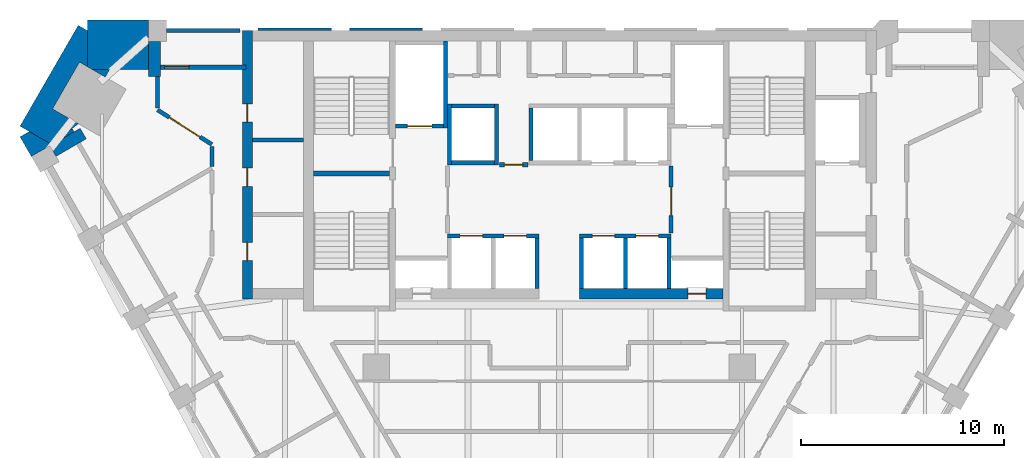
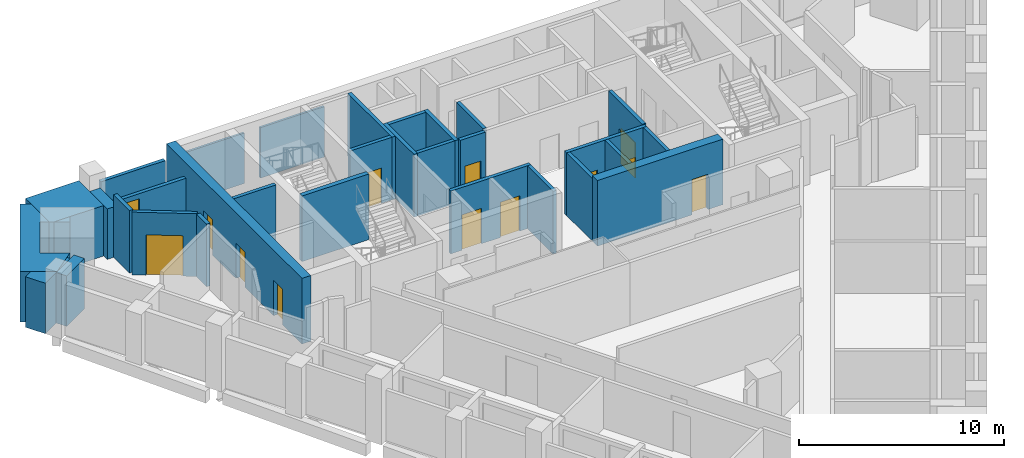
# One storey, part 5 of 9: 32 walls, 13 doors, 13 openings.
"""IFC4 building model written with IfcOpenShell, lengths in metres."""

from ifc_helpers import new_model, si_unit, direction, frame, frame_2d, origin, place, context, subcontext, project, spatial, polyline, rectangle, outline, extrude, material, layer, layer_set, type_object, element, fill, save


model = new_model("IFC4")

# Units and contexts
model_context = context("Model", 3, precision=1e-05, world=origin(), true_north=direction((0.0, 1.0)))
body_context = subcontext(model_context, "Body", "Model", "MODEL_VIEW")
ifc_project = project(units=[si_unit("LENGTHUNIT", "METRE"), si_unit("AREAUNIT", "SQUARE_METRE"), si_unit("VOLUMEUNIT", "CUBIC_METRE"), si_unit("PLANEANGLEUNIT", "RADIAN"), si_unit("MASSUNIT", "GRAM", prefix="KILO")], contexts=[model_context])

# Site, building, storey
site_placement = place(None, origin())
site = spatial("IfcSite", under=ifc_project, at=site_placement, CompositionType="ELEMENT")
building_placement = place(site_placement, origin())
building = spatial("IfcBuilding", under=site, at=building_placement, Name="Calabash Gate Tower", CompositionType="ELEMENT")
storey_placement = place(building_placement, frame((0.0, 0.0, 171.89990234375)))
storey = spatial("IfcBuildingStorey", under=building, at=storey_placement, Name="L40", CompositionType="ELEMENT", Elevation=171.89990234375)

# Walls
ifc_material_1 = material(Name="Terracotta brick masonry, exposed face", Category="masonry")
ifc_layer_1 = layer(ifc_material_1, 2.425048828125)
ifc_layer_set_1 = layer_set([ifc_layer_1], Name="Brick corner mass wall 2425")
wall_type_1 = type_object("IfcWallType", Name="Brick corner mass wall 2425", PredefinedType="SOLIDWALL", material=ifc_layer_set_1)
wall_1_placement = place(storey_placement, origin())
element("IfcWall", 1, at=wall_1_placement, inside=storey, type_object=wall_type_1, Name="Brick corner pier S11 4a", PredefinedType="SOLIDWALL", context=body_context, shape_type="SweptSolid", body=[
    extrude(outline(polyline([(-23.010986328125, 17.152587890625), (-20.220458984375, 17.152587890625), (-20.220458984375, 19.57763671875), (-23.2216796875, 19.57763671875), (-23.2216796875, 17.274169921875), (-23.010986328125, 17.152587890625)])), origin(), (0.0, 0.0, 1.0), 3.0),
])
wall_2_placement = place(storey_placement, origin())
element("IfcWall", 2, at=wall_2_placement, inside=storey, type_object=wall_type_1, Name="Brick corner pier S11 4ba", PredefinedType="SOLIDWALL", context=body_context, shape_type="SweptSolid", body=[
    extrude(outline(polyline([(-23.67138671875, 14.473876953125), (-24.93603515625, 15.2041015625), (-23.611083984375, 17.4990234375), (-23.2216796875, 17.274169921875), (-23.2216796875, 19.052490234375), (-23.676513671875, 19.31494140625), (-26.541748046875, 14.352294921875), (-24.970458984375, 13.4453125), (-23.67138671875, 14.473876953125)])), origin(), (0.0, 0.0, 1.0), 3.0),
])
wall_3_placement = place(storey_placement, origin())
element("IfcWall", 3, at=wall_3_placement, inside=storey, type_object=wall_type_1, Name="Brick corner pier S11 4bb", PredefinedType="SOLIDWALL", context=body_context, shape_type="SweptSolid", body=[
    extrude(outline(polyline([(-22.124755859375, 17.152587890625), (-23.010986328125, 17.152587890625), (-22.346435546875, 16.768798828125), (-22.124755859375, 17.152587890625)])), origin(), (0.0, 0.0, 1.0), 3.0),
])
wall_4_placement = place(storey_placement, origin())
element("IfcWall", 4, at=wall_4_placement, inside=storey, type_object=wall_type_1, Name="Brick corner pier S11 4c", PredefinedType="SOLIDWALL", context=body_context, shape_type="SweptSolid", body=[
    extrude(outline(polyline([(-23.9755859375, 14.23291015625), (-24.970458984375, 13.4453125), (-26.0869140625, 14.08984375), (-26.541748046875, 13.827392578125), (-25.9833984375, 12.8603515625), (-25.07421875, 13.38525390625), (-25.07421875, 13.38525390625), (-23.88330078125, 14.07275390625), (-23.9755859375, 14.23291015625)])), origin(), (0.0, 0.0, 1.0), 3.0),
])
ifc_material_2 = material(Name="Terracotta brick masonry, exposed face", Category="masonry")
ifc_layer_2 = layer(ifc_material_2, 0.300048828125)
ifc_layer_set_2 = layer_set([ifc_layer_2], Name="Brick loggia cheek wall 300")
wall_type_2 = type_object("IfcWallType", Name="Brick loggia cheek wall 300", PredefinedType="SOLIDWALL", material=ifc_layer_set_2)
wall_5_placement = place(storey_placement, frame((-24.924072265625, 13.12548828125, 0.0), z_axis=(0.0, 0.0, 1.0), x_axis=(0.866013532718, 0.500020560727, 0.0)))
element("IfcWall", 5, at=wall_5_placement, inside=storey, type_object=wall_type_2, Name="Loggia cheek S11 SW0.0", PredefinedType="SOLIDWALL", context=body_context, shape_type="SweptSolid", body=[
    extrude(rectangle(XDim=1.72509765625, YDim=0.60009765625, at=frame_2d((0.862548828125, 0.0))), origin(), (0.0, 0.0, 1.0), 3.0),
])
wall_6_placement = place(storey_placement, origin())
element("IfcWall", 6, at=wall_6_placement, inside=storey, type_object=wall_type_2, Name="Loggia cheek S11 N6.9", PredefinedType="SOLIDWALL", context=body_context, shape_type="SweptSolid", body=[
    extrude(outline(polyline([(-20.220458984375, 18.527587890625), (-20.220458984375, 16.802490234375), (-19.620361328125, 16.802490234375), (-19.620361328125, 18.527587890625), (-20.220458984375, 18.527587890625)])), origin(), (0.0, 0.0, 1.0), 3.0),
])
ifc_material_3 = material(Name="Gypsum board on steel studs, mineral wool", Category="steel")
ifc_layer_3 = layer(ifc_material_3, 0.199951171875)
ifc_layer_set_3 = layer_set([ifc_layer_3], Name="Core partition 200 gypsum board")
wall_type_3 = type_object("IfcWallType", Name="Core partition 200 gypsum board", PredefinedType="PARTITIONING", material=ifc_layer_set_3)
wall_7_placement = place(storey_placement, frame((-15.10009765625, 13.672607421875, 0.0), z_axis=(0.0, 0.0, 1.0), x_axis=(1.0, 0.0, 0.0)))
element("IfcWall", 7, at=wall_7_placement, inside=storey, type_object=wall_type_3, Name="Core partition", PredefinedType="PARTITIONING", context=body_context, shape_type="SweptSolid", body=[
    extrude(rectangle(XDim=2.5, YDim=0.199951171875, at=frame_2d((1.25, 0.0))), origin(), (0.0, 0.0, 1.0), 3.72998046875),
])
ifc_material_4 = material(Name="Concrete C70/85", Category="concrete")
ifc_layer_4 = layer(ifc_material_4, 0.25)
ifc_layer_set_4 = layer_set([ifc_layer_4], Name="Core wall 250 Concrete C70/85")
wall_type_4 = type_object("IfcWallType", Name="Core wall 250 Concrete C70/85", PredefinedType="SHEAR", material=ifc_layer_set_4)
wall_8_placement = place(storey_placement, frame((-12.10009765625, 12.027587890625, 0.0), z_axis=(0.0, 0.0, 1.0), x_axis=(1.0, 0.0, 0.0)))
element("IfcWall", 8, at=wall_8_placement, inside=storey, type_object=wall_type_4, Name="Core wall Z3-MIDW L40", PredefinedType="SHEAR", context=body_context, shape_type="SweptSolid", body=[
    extrude(rectangle(XDim=3.75, YDim=0.25, at=frame_2d((1.875, 0.0))), origin(), (0.0, 0.0, 1.0), 3.900146484375),
])

# Wall, opening, door
ifc_material_5 = material(Name="Concrete C70/85", Category="concrete")
ifc_layer_5 = layer(ifc_material_5, 0.5)
ifc_layer_set_5 = layer_set([ifc_layer_5], Name="Core wall 500 Concrete C70/85")
wall_type_5 = type_object("IfcWallType", Name="Core wall 500 Concrete C70/85", PredefinedType="SHEAR", material=ifc_layer_set_5)
wall_9_placement = place(storey_placement, frame((1.0, 6.1025390625, 0.0), z_axis=(0.0, 0.0, 1.0), x_axis=(1.0, 0.0, 0.0)))
wall_9 = element("IfcWall", 9, at=wall_9_placement, inside=storey, type_object=wall_type_5, Name="Core wall Z3-SB L40", PredefinedType="SHEAR", context=body_context, shape_type="SweptSolid", body=[
    extrude(rectangle(XDim=7.050048828125, YDim=0.5, at=frame_2d((3.52490234375, 0.0))), origin(), (0.0, 0.0, 1.0), 3.900146484375),
])
opening_1_placement = place(wall_9_placement, frame((5.324951171875, 0.0, 0.0)))
opening_1 = element("IfcOpeningElement", 10, at=opening_1_placement, cuts=wall_9, Name="Opening O3-015", PredefinedType="OPENING", context=body_context, shape_type="SweptSolid", body=[
    extrude(rectangle(XDim=0.89990234375, YDim=2.10009765625, at=frame_2d((0.449951171875, 1.050048828125))), frame((0.0, 0.260009765625, 0.0), z_axis=(0.0, -1.0, 0.0), x_axis=(1.0, 0.0, 0.0)), (0.0, 0.0, 1.0), 0.52001953125),
])
ifc_material_6 = material(Name="Steel fire door set with fire-resisting glazing", Category="steel")
door_type_1 = type_object("IfcDoorType", Name="Fire door D07 900x2100 FD90", OperationType="NOTDEFINED", PredefinedType="DOOR", material=ifc_material_6)
door_1_placement = place(opening_1_placement, origin())
door_1 = element("IfcDoor", 11, at=door_1_placement, inside=storey, type_object=door_type_1, Name="Mechanical Riser E door", OperationType="SINGLE_SWING_RIGHT", OverallHeight=2.10009765625, OverallWidth=0.89990234375, PredefinedType="DOOR", context=body_context, shape_type="SweptSolid", body=[
    extrude(rectangle(XDim=0.89990234375, YDim=2.10009765625, at=frame_2d((0.449951171875, 1.050048828125))), frame((0.0, 0.02490234375, 0.0), z_axis=(0.0, -1.0, 0.0), x_axis=(1.0, 0.0, 0.0)), (0.0, 0.0, 1.0), 0.050048828125),
])
fill(opening_1, door_1)

# Wall, openings, doors
wall_10_placement = place(storey_placement, frame((-15.35009765625, 5.8525390625, 0.0), z_axis=(0.0, 0.0, 1.0), x_axis=(0.0, 1.0, 0.0)))
wall_10 = element("IfcWall", 12, at=wall_10_placement, inside=storey, type_object=wall_type_5, Name="Core wall Z3-ENDW L40", PredefinedType="SHEAR", context=body_context, shape_type="SweptSolid", body=[
    extrude(rectangle(XDim=13.199951171875, YDim=0.5, at=frame_2d((6.60009765625, 0.0))), origin(), (0.0, 0.0, 1.0), 3.900146484375),
])
opening_2_placement = place(wall_10_placement, frame((1.8798828125, 0.0, 0.0)))
opening_2 = element("IfcOpeningElement", 13, at=opening_2_placement, cuts=wall_10, Name="Opening O3-004", PredefinedType="OPENING", context=body_context, shape_type="SweptSolid", body=[
    extrude(rectangle(XDim=0.89990234375, YDim=2.10009765625, at=frame_2d((0.449951171875, 1.050048828125))), frame((0.0, 0.260009765625, 0.0), z_axis=(0.0, -1.0, 0.0), x_axis=(1.0, 0.0, 0.0)), (0.0, 0.0, 1.0), 0.52001953125),
])
opening_3_placement = place(wall_10_placement, frame((5.5400390625, 0.0, 0.0)))
opening_3 = element("IfcOpeningElement", 14, at=opening_3_placement, cuts=wall_10, Name="Opening O3-005", PredefinedType="OPENING", context=body_context, shape_type="SweptSolid", body=[
    extrude(rectangle(XDim=0.89990234375, YDim=2.10009765625, at=frame_2d((0.449951171875, 1.050048828125))), frame((0.0, 0.260009765625, 0.0), z_axis=(0.0, -1.0, 0.0), x_axis=(1.0, 0.0, 0.0)), (0.0, 0.0, 1.0), 0.52001953125),
])
opening_4_placement = place(wall_10_placement, frame((8.697509765625, 0.0, 0.0)))
opening_4 = element("IfcOpeningElement", 15, at=opening_4_placement, cuts=wall_10, Name="Opening O3-006", PredefinedType="OPENING", context=body_context, shape_type="SweptSolid", body=[
    extrude(rectangle(XDim=0.89990234375, YDim=2.10009765625, at=frame_2d((0.449951171875, 1.050048828125))), frame((0.0, 0.260009765625, 0.0), z_axis=(0.0, -1.0, 0.0), x_axis=(1.0, 0.0, 0.0)), (0.0, 0.0, 1.0), 0.52001953125),
])
ifc_material_7 = material(Name="Steel fire door set with fire-resisting glazing", Category="steel")
door_type_2 = type_object("IfcDoorType", Name="Fire door D06 900x2100 FD60", OperationType="NOTDEFINED", PredefinedType="DOOR", material=ifc_material_7)
door_2_placement = place(opening_2_placement, origin())
door_2 = element("IfcDoor", 16, at=door_2_placement, inside=storey, type_object=door_type_2, Name="Cleaner's Store door", OperationType="SINGLE_SWING_LEFT", OverallHeight=2.10009765625, OverallWidth=0.89990234375, PredefinedType="DOOR", context=body_context, shape_type="SweptSolid", body=[
    extrude(rectangle(XDim=0.89990234375, YDim=2.10009765625, at=frame_2d((0.449951171875, 1.050048828125))), frame((0.0, 0.02490234375, 0.0), z_axis=(0.0, -1.0, 0.0), x_axis=(1.0, 0.0, 0.0)), (0.0, 0.0, 1.0), 0.050048828125),
])
fill(opening_2, door_2)
door_3_placement = place(opening_3_placement, origin())
door_3 = element("IfcDoor", 17, at=door_3_placement, inside=storey, type_object=door_type_2, Name="Print Room door", OperationType="SINGLE_SWING_LEFT", OverallHeight=2.10009765625, OverallWidth=0.89990234375, PredefinedType="DOOR", context=body_context, shape_type="SweptSolid", body=[
    extrude(rectangle(XDim=0.89990234375, YDim=2.10009765625, at=frame_2d((0.449951171875, 1.050048828125))), frame((0.0, 0.02490234375, 0.0), z_axis=(0.0, -1.0, 0.0), x_axis=(1.0, 0.0, 0.0)), (0.0, 0.0, 1.0), 0.050048828125),
])
fill(opening_3, door_3)
door_4_placement = place(opening_4_placement, origin())
door_4 = element("IfcDoor", 18, at=door_4_placement, inside=storey, type_object=door_type_2, Name="Meter Room door", OperationType="SINGLE_SWING_LEFT", OverallHeight=2.10009765625, OverallWidth=0.89990234375, PredefinedType="DOOR", context=body_context, shape_type="SweptSolid", body=[
    extrude(rectangle(XDim=0.89990234375, YDim=2.10009765625, at=frame_2d((0.449951171875, 1.050048828125))), frame((0.0, 0.02490234375, 0.0), z_axis=(0.0, -1.0, 0.0), x_axis=(1.0, 0.0, 0.0)), (0.0, 0.0, 1.0), 0.050048828125),
])
fill(opening_4, door_4)

# Wall
ifc_material_8 = material(Name="Gypsum board on steel studs, mineral wool", Category="steel")
ifc_layer_6 = layer(ifc_material_8, 0.199951171875)
ifc_layer_set_6 = layer_set([ifc_layer_6], Name="Partition 200 gypsum board EI 60")
wall_type_6 = type_object("IfcWallType", Name="Partition 200 gypsum board EI 60", PredefinedType="PARTITIONING", material=ifc_layer_set_6)
wall_11_placement = place(storey_placement, frame((-17.101806640625, 12.372314453125, 0.0), z_axis=(0.0, 0.0, 1.0), x_axis=(0.001245639293, 0.999999224191, 0.0)))
element("IfcWall", 19, at=wall_11_placement, inside=storey, type_object=wall_type_6, Name="Partition", PredefinedType="PARTITIONING", context=body_context, shape_type="SweptSolid", body=[
    extrude(rectangle(XDim=0.97998046875, YDim=0.199951171875, at=frame_2d((0.489990234375, 0.0))), origin(), (0.0, 0.0, 1.0), 3.72998046875),
])

# Wall, opening, door
wall_12_placement = place(storey_placement, frame((-19.770751953125, 15.15234375, 0.0), z_axis=(0.0, 0.0, 1.0), x_axis=(0.843553490885, -0.537045163851, 0.0)))
wall_12 = element("IfcWall", 20, at=wall_12_placement, inside=storey, type_object=wall_type_6, Name="Partition", PredefinedType="PARTITIONING", context=body_context, shape_type="SweptSolid", body=[
    extrude(rectangle(XDim=3.165283203125, YDim=0.199951171875, at=frame_2d((1.58251953125, 0.0))), origin(), (0.0, 0.0, 1.0), 3.72998046875),
])
opening_5_placement = place(wall_12_placement, frame((0.682861328125, 0.0, 0.0)))
opening_5 = element("IfcOpeningElement", 21, at=opening_5_placement, cuts=wall_12, Name="Opening 39-41-010", PredefinedType="OPENING", context=body_context, shape_type="SweptSolid", body=[
    extrude(rectangle(XDim=1.800048828125, YDim=2.39990234375, at=frame_2d((0.89990234375, 1.199951171875))), frame((0.0, 0.10986328125, 0.0), z_axis=(0.0, -1.0, 0.0), x_axis=(1.0, 0.0, 0.0)), (0.0, 0.0, 1.0), 0.219970703125),
])
ifc_material_9 = material(Name="Steel fire door set with fire-resisting glazing", Category="steel")
door_type_3 = type_object("IfcDoorType", Name="OD5 Open office double door 1800x2400", OperationType="NOTDEFINED", PredefinedType="DOOR", material=ifc_material_9)
door_5_placement = place(opening_5_placement, origin())
door_5 = element("IfcDoor", 22, at=door_5_placement, inside=storey, type_object=door_type_3, Name="Open office double door", OperationType="DOUBLE_DOOR_SINGLE_SWING", OverallHeight=2.39990234375, OverallWidth=1.800048828125, PredefinedType="DOOR", context=body_context, shape_type="SweptSolid", body=[
    extrude(rectangle(XDim=1.800048828125, YDim=2.39990234375, at=frame_2d((0.89990234375, 1.199951171875))), frame((0.0, 0.02490234375, 0.0), z_axis=(0.0, -1.0, 0.0), x_axis=(1.0, 0.0, 0.0)), (0.0, 0.0, 1.0), 0.050048828125),
])
fill(opening_5, door_5)

# Walls
wall_13_placement = place(storey_placement, frame((-19.770751953125, 16.802490234375, 0.0), z_axis=(0.0, 0.0, 1.0), x_axis=(0.0, -1.0, 0.0)))
element("IfcWall", 23, at=wall_13_placement, inside=storey, type_object=wall_type_6, Name="Partition", PredefinedType="PARTITIONING", context=body_context, shape_type="SweptSolid", body=[
    extrude(rectangle(XDim=1.55029296875, YDim=0.199951171875, at=frame_2d((0.775146484375, 0.0))), origin(), (0.0, 0.0, 1.0), 3.72998046875),
])
ifc_material_10 = material(Name="Concrete C40/50", Category="concrete")
ifc_layer_7 = layer(ifc_material_10, 0.199951171875)
ifc_layer_set_7 = layer_set([ifc_layer_7], Name="Shaft wall 200 Concrete C40/50")
wall_type_7 = type_object("IfcWallType", Name="Shaft wall 200 Concrete C40/50", PredefinedType="SOLIDWALL", material=ifc_layer_set_7)
for number, where, z_axis, x_axis, name in (
    (24, (-1.10009765625, 6.3525390625, 0.0), (0.0, 0.0, 1.0), (0.0, 1.0, 0.0), "Shaft wall"),
    (25, (1.10009765625, 6.3525390625, 0.0), (0.0, 0.0, 1.0), (0.0, 1.0, 0.0), "Shaft wall"),
    (26, (3.25, 6.3525390625, 0.0), (0.0, 0.0, 1.0), (0.0, 1.0, 0.0), "Shaft wall"),
    (27, (5.39990234375, 6.3525390625, 0.0), (0.0, 0.0, 1.0), (0.0, 1.0, 0.0), "Shaft wall"),
):
    element("IfcWall", number, at=place(storey_placement, frame(where, z_axis=z_axis, x_axis=x_axis)), inside=storey, type_object=wall_type_7, Name=name, PredefinedType="SOLIDWALL", context=body_context, shape_type="SweptSolid", body=[
        extrude(rectangle(XDim=2.5, YDim=0.199951171875, at=frame_2d((1.25, 0.0))), origin(), (0.0, 0.0, 1.0), 3.72998046875),
    ])

# Wall, openings, doors
wall_14_placement = place(storey_placement, frame((-5.5, 8.95263671875, 0.0), z_axis=(0.0, 0.0, 1.0), x_axis=(1.0, 0.0, 0.0)))
wall_14 = element("IfcWall", 28, at=wall_14_placement, inside=storey, type_object=wall_type_7, Name="Shaft wall", PredefinedType="SOLIDWALL", context=body_context, shape_type="SweptSolid", body=[
    extrude(rectangle(XDim=4.5, YDim=0.199951171875, at=frame_2d((2.25, 0.0))), origin(), (0.0, 0.0, 1.0), 3.72998046875),
])
opening_6_placement = place(wall_14_placement, frame((0.625, 0.0, 0.0)))
opening_6 = element("IfcOpeningElement", 29, at=opening_6_placement, cuts=wall_14, Name="Opening LD-HR1", PredefinedType="OPENING", context=body_context, shape_type="SweptSolid", body=[
    extrude(rectangle(XDim=1.10009765625, YDim=2.10009765625, at=frame_2d((0.550048828125, 1.050048828125))), frame((0.0, 0.10986328125, 0.0), z_axis=(0.0, -1.0, 0.0), x_axis=(1.0, 0.0, 0.0)), (0.0, 0.0, 1.0), 0.219970703125),
])
opening_7_placement = place(wall_14_placement, frame((2.77490234375, 0.0, 0.0)))
opening_7 = element("IfcOpeningElement", 30, at=opening_7_placement, cuts=wall_14, Name="Opening LD-HR2", PredefinedType="OPENING", context=body_context, shape_type="SweptSolid", body=[
    extrude(rectangle(XDim=1.10009765625, YDim=2.10009765625, at=frame_2d((0.550048828125, 1.050048828125))), frame((0.0, 0.10986328125, 0.0), z_axis=(0.0, -1.0, 0.0), x_axis=(1.0, 0.0, 0.0)), (0.0, 0.0, 1.0), 0.219970703125),
])
ifc_material_11 = material(Name="Stainless steel sliding door leaves", Category="steel")
door_type_4 = type_object("IfcDoorType", Name="Lift landing door LS1 1100x2100 FD90", OperationType="DOUBLE_DOOR_SLIDING", PredefinedType="DOOR", material=ifc_material_11)
door_6_placement = place(opening_6_placement, origin())
door_6 = element("IfcDoor", 31, at=door_6_placement, inside=storey, type_object=door_type_4, Name="Lift landing door HR1", OperationType="DOUBLE_DOOR_SLIDING", OverallHeight=2.10009765625, OverallWidth=1.10009765625, PredefinedType="DOOR", context=body_context, shape_type="SweptSolid", body=[
    extrude(rectangle(XDim=1.10009765625, YDim=2.10009765625, at=frame_2d((0.550048828125, 1.050048828125))), frame((0.0, 0.02490234375, 0.0), z_axis=(0.0, -1.0, 0.0), x_axis=(1.0, 0.0, 0.0)), (0.0, 0.0, 1.0), 0.050048828125),
])
fill(opening_6, door_6)
door_7_placement = place(opening_7_placement, origin())
door_7 = element("IfcDoor", 32, at=door_7_placement, inside=storey, type_object=door_type_4, Name="Lift landing door HR2", OperationType="DOUBLE_DOOR_SLIDING", OverallHeight=2.10009765625, OverallWidth=1.10009765625, PredefinedType="DOOR", context=body_context, shape_type="SweptSolid", body=[
    extrude(rectangle(XDim=1.10009765625, YDim=2.10009765625, at=frame_2d((0.550048828125, 1.050048828125))), frame((0.0, 0.02490234375, 0.0), z_axis=(0.0, -1.0, 0.0), x_axis=(1.0, 0.0, 0.0)), (0.0, 0.0, 1.0), 0.050048828125),
])
fill(opening_7, door_7)

wall_15_placement = place(storey_placement, frame((1.0, 8.95263671875, 0.0), z_axis=(0.0, 0.0, 1.0), x_axis=(1.0, 0.0, 0.0)))
wall_15 = element("IfcWall", 33, at=wall_15_placement, inside=storey, type_object=wall_type_7, Name="Shaft wall", PredefinedType="SOLIDWALL", context=body_context, shape_type="SweptSolid", body=[
    extrude(rectangle(XDim=4.5, YDim=0.199951171875, at=frame_2d((2.25, 0.0))), origin(), (0.0, 0.0, 1.0), 3.72998046875),
])
opening_8_placement = place(wall_15_placement, frame((0.625, 0.0, 0.0)))
opening_8 = element("IfcOpeningElement", 34, at=opening_8_placement, cuts=wall_15, Name="Opening LD-HR3", PredefinedType="OPENING", context=body_context, shape_type="SweptSolid", body=[
    extrude(rectangle(XDim=1.10009765625, YDim=2.10009765625, at=frame_2d((0.550048828125, 1.050048828125))), frame((0.0, 0.10986328125, 0.0), z_axis=(0.0, -1.0, 0.0), x_axis=(1.0, 0.0, 0.0)), (0.0, 0.0, 1.0), 0.219970703125),
])
opening_9_placement = place(wall_15_placement, frame((2.77490234375, 0.0, 0.0)))
opening_9 = element("IfcOpeningElement", 35, at=opening_9_placement, cuts=wall_15, Name="Opening LD-HR4", PredefinedType="OPENING", context=body_context, shape_type="SweptSolid", body=[
    extrude(rectangle(XDim=1.10009765625, YDim=2.10009765625, at=frame_2d((0.550048828125, 1.050048828125))), frame((0.0, 0.10986328125, 0.0), z_axis=(0.0, -1.0, 0.0), x_axis=(1.0, 0.0, 0.0)), (0.0, 0.0, 1.0), 0.219970703125),
])
door_8_placement = place(opening_8_placement, origin())
door_8 = element("IfcDoor", 36, at=door_8_placement, inside=storey, type_object=door_type_4, Name="Lift landing door HR3", OperationType="DOUBLE_DOOR_SLIDING", OverallHeight=2.10009765625, OverallWidth=1.10009765625, PredefinedType="DOOR", context=body_context, shape_type="SweptSolid", body=[
    extrude(rectangle(XDim=1.10009765625, YDim=2.10009765625, at=frame_2d((0.550048828125, 1.050048828125))), frame((0.0, 0.02490234375, 0.0), z_axis=(0.0, -1.0, 0.0), x_axis=(1.0, 0.0, 0.0)), (0.0, 0.0, 1.0), 0.050048828125),
])
fill(opening_8, door_8)
door_9_placement = place(opening_9_placement, origin())
door_9 = element("IfcDoor", 37, at=door_9_placement, inside=storey, type_object=door_type_4, Name="Lift landing door HR4", OperationType="DOUBLE_DOOR_SLIDING", OverallHeight=2.10009765625, OverallWidth=1.10009765625, PredefinedType="DOOR", context=body_context, shape_type="SweptSolid", body=[
    extrude(rectangle(XDim=1.10009765625, YDim=2.10009765625, at=frame_2d((0.550048828125, 1.050048828125))), frame((0.0, 0.02490234375, 0.0), z_axis=(0.0, -1.0, 0.0), x_axis=(1.0, 0.0, 0.0)), (0.0, 0.0, 1.0), 0.050048828125),
])
fill(opening_9, door_9)

# Wall, opening, door
wall_16_placement = place(storey_placement, frame((5.5, 9.1025390625, 0.0), z_axis=(0.0, 0.0, 1.0), x_axis=(0.0, 1.0, 0.0)))
wall_16 = element("IfcWall", 38, at=wall_16_placement, inside=storey, type_object=wall_type_7, Name="Shaft wall", PredefinedType="SOLIDWALL", context=body_context, shape_type="SweptSolid", body=[
    extrude(rectangle(XDim=3.300048828125, YDim=0.199951171875, at=frame_2d((1.64990234375, 0.0))), origin(), (0.0, 0.0, 1.0), 3.72998046875),
])
opening_10_placement = place(wall_16_placement, frame((0.85009765625, 0.0, 0.0)))
opening_10 = element("IfcOpeningElement", 39, at=opening_10_placement, cuts=wall_16, Name="Opening O3-008", PredefinedType="OPENING", context=body_context, shape_type="SweptSolid", body=[
    extrude(rectangle(XDim=1.39990234375, YDim=2.10009765625, at=frame_2d((0.699951171875, 1.050048828125))), frame((0.0, 0.10986328125, 0.0), z_axis=(0.0, -1.0, 0.0), x_axis=(1.0, 0.0, 0.0)), (0.0, 0.0, 1.0), 0.219970703125),
])
ifc_material_12 = material(Name="Steel fire door set with fire-resisting glazing", Category="steel")
door_type_5 = type_object("IfcDoorType", Name="Fire door D05 1400x2100 FD90", OperationType="NOTDEFINED", PredefinedType="DOOR", material=ifc_material_12)
door_10_placement = place(opening_10_placement, origin())
door_10 = element("IfcDoor", 40, at=door_10_placement, inside=storey, type_object=door_type_5, Name="Firefighting Lobby E door", OperationType="SINGLE_SWING_LEFT", OverallHeight=2.10009765625, OverallWidth=1.39990234375, PredefinedType="DOOR", context=body_context, shape_type="SweptSolid", body=[
    extrude(rectangle(XDim=1.39990234375, YDim=2.10009765625, at=frame_2d((0.699951171875, 1.050048828125))), frame((0.0, 0.02490234375, 0.0), z_axis=(0.0, -1.0, 0.0), x_axis=(1.0, 0.0, 0.0)), (0.0, 0.0, 1.0), 0.050048828125),
])
fill(opening_10, door_10)

wall_17_placement = place(storey_placement, frame((-2.949951171875, 12.45263671875, 0.0), z_axis=(0.0, 0.0, 1.0), x_axis=(1.0, 0.0, 0.0)))
wall_17 = element("IfcWall", 41, at=wall_17_placement, inside=storey, type_object=wall_type_7, Name="Shaft wall", PredefinedType="SOLIDWALL", context=body_context, shape_type="SweptSolid", body=[
    extrude(rectangle(XDim=1.39990234375, YDim=0.199951171875, at=frame_2d((0.699951171875, 0.0))), origin(), (0.0, 0.0, 1.0), 3.72998046875),
])
opening_11_placement = place(wall_17_placement, frame((0.25, 0.0, 0.0)))
opening_11 = element("IfcOpeningElement", 42, at=opening_11_placement, cuts=wall_17, Name="Opening O3-007", PredefinedType="OPENING", context=body_context, shape_type="SweptSolid", body=[
    extrude(rectangle(XDim=0.89990234375, YDim=2.10009765625, at=frame_2d((0.449951171875, 1.050048828125))), frame((0.0, 0.10986328125, 0.0), z_axis=(0.0, -1.0, 0.0), x_axis=(1.0, 0.0, 0.0)), (0.0, 0.0, 1.0), 0.219970703125),
])
door_11_placement = place(opening_11_placement, origin())
door_11 = element("IfcDoor", 43, at=door_11_placement, inside=storey, type_object=door_type_2, Name="Service Corridor door", OperationType="SINGLE_SWING_RIGHT", OverallHeight=2.10009765625, OverallWidth=0.89990234375, PredefinedType="DOOR", context=body_context, shape_type="SweptSolid", body=[
    extrude(rectangle(XDim=0.89990234375, YDim=2.10009765625, at=frame_2d((0.449951171875, 1.050048828125))), frame((0.0, 0.02490234375, 0.0), z_axis=(0.0, -1.0, 0.0), x_axis=(1.0, 0.0, 0.0)), (0.0, 0.0, 1.0), 0.050048828125),
])
fill(opening_11, door_11)

# Walls
wall_18_placement = place(storey_placement, frame((-5.39990234375, 12.45263671875, 0.0), z_axis=(0.0, 0.0, 1.0), x_axis=(0.0, 1.0, 0.0)))
element("IfcWall", 44, at=wall_18_placement, inside=storey, type_object=wall_type_7, Name="Shaft wall", PredefinedType="SOLIDWALL", context=body_context, shape_type="SweptSolid", body=[
    extrude(rectangle(XDim=3.0, YDim=0.199951171875, at=frame_2d((1.5, 0.0))), origin(), (0.0, 0.0, 1.0), 3.72998046875),
])
wall_19_placement = place(storey_placement, frame((-5.300048828125, 12.552490234375, 0.0), z_axis=(0.0, 0.0, 1.0), x_axis=(1.0, 0.0, 0.0)))
element("IfcWall", 45, at=wall_19_placement, inside=storey, type_object=wall_type_7, Name="Shaft wall", PredefinedType="SOLIDWALL", context=body_context, shape_type="SweptSolid", body=[
    extrude(rectangle(XDim=2.10009765625, YDim=0.199951171875, at=frame_2d((1.050048828125, 0.0))), origin(), (0.0, 0.0, 1.0), 3.72998046875),
])
wall_20_placement = place(storey_placement, frame((-3.10009765625, 12.45263671875, 0.0), z_axis=(0.0, 0.0, 1.0), x_axis=(0.0, 1.0, 0.0)))
element("IfcWall", 46, at=wall_20_placement, inside=storey, type_object=wall_type_7, Name="Shaft wall", PredefinedType="SOLIDWALL", context=body_context, shape_type="SweptSolid", body=[
    extrude(rectangle(XDim=3.0, YDim=0.199951171875, at=frame_2d((1.5, 0.0))), origin(), (0.0, 0.0, 1.0), 3.72998046875),
])
wall_21_placement = place(storey_placement, frame((-1.39990234375, 12.652587890625, 0.0), z_axis=(0.0, 0.0, 1.0), x_axis=(0.0, 1.0, 0.0)))
element("IfcWall", 47, at=wall_21_placement, inside=storey, type_object=wall_type_7, Name="Shaft wall", PredefinedType="SOLIDWALL", context=body_context, shape_type="SweptSolid", body=[
    extrude(rectangle(XDim=2.60009765625, YDim=0.199951171875, at=frame_2d((1.300048828125, 0.0))), origin(), (0.0, 0.0, 1.0), 3.72998046875),
])

# Wall, opening, door
wall_22_placement = place(storey_placement, frame((-8.050048828125, 14.3525390625, 0.0), z_axis=(0.0, 0.0, 1.0), x_axis=(1.0, 0.0, 0.0)))
wall_22 = element("IfcWall", 48, at=wall_22_placement, inside=storey, type_object=wall_type_7, Name="Shaft wall", PredefinedType="SOLIDWALL", context=body_context, shape_type="SweptSolid", body=[
    extrude(rectangle(XDim=2.35009765625, YDim=0.199951171875, at=frame_2d((1.175048828125, 0.0))), origin(), (0.0, 0.0, 1.0), 3.72998046875),
])
opening_12_placement = place(wall_22_placement, frame((0.574951171875, 0.0, 0.0)))
opening_12 = element("IfcOpeningElement", 49, at=opening_12_placement, cuts=wall_22, Name="Opening LD-FF1", PredefinedType="OPENING", context=body_context, shape_type="SweptSolid", body=[
    extrude(rectangle(XDim=1.199951171875, YDim=2.10009765625, at=frame_2d((0.60009765625, 1.050048828125))), frame((0.0, 0.10986328125, 0.0), z_axis=(0.0, -1.0, 0.0), x_axis=(1.0, 0.0, 0.0)), (0.0, 0.0, 1.0), 0.219970703125),
])
ifc_material_13 = material(Name="Stainless steel sliding door leaves", Category="steel")
door_type_6 = type_object("IfcDoorType", Name="Lift landing door LS3 1200x2100 FD90", OperationType="DOUBLE_DOOR_SLIDING", PredefinedType="DOOR", material=ifc_material_13)
door_12_placement = place(opening_12_placement, origin())
door_12 = element("IfcDoor", 50, at=door_12_placement, inside=storey, type_object=door_type_6, Name="Lift landing door FF1", OperationType="DOUBLE_DOOR_SLIDING", OverallHeight=2.10009765625, OverallWidth=1.199951171875, PredefinedType="DOOR", context=body_context, shape_type="SweptSolid", body=[
    extrude(rectangle(XDim=1.199951171875, YDim=2.10009765625, at=frame_2d((0.60009765625, 1.050048828125))), frame((0.0, 0.02490234375, 0.0), z_axis=(0.0, -1.0, 0.0), x_axis=(1.0, 0.0, 0.0)), (0.0, 0.0, 1.0), 0.050048828125),
])
fill(opening_12, door_12)

# Walls
wall_23_placement = place(storey_placement, frame((-5.60009765625, 14.252685546875, 0.0), z_axis=(0.0, 0.0, 1.0), x_axis=(0.0, 1.0, 0.0)))
element("IfcWall", 51, at=wall_23_placement, inside=storey, type_object=wall_type_7, Name="Shaft wall", PredefinedType="SOLIDWALL", context=body_context, shape_type="SweptSolid", body=[
    extrude(rectangle(XDim=4.2998046875, YDim=0.199951171875, at=frame_2d((2.14990234375, 0.0))), origin(), (0.0, 0.0, 1.0), 3.72998046875),
])
wall_24_placement = place(storey_placement, frame((-5.300048828125, 15.3525390625, 0.0), z_axis=(0.0, 0.0, 1.0), x_axis=(1.0, 0.0, 0.0)))
element("IfcWall", 52, at=wall_24_placement, inside=storey, type_object=wall_type_7, Name="Shaft wall", PredefinedType="SOLIDWALL", context=body_context, shape_type="SweptSolid", body=[
    extrude(rectangle(XDim=2.10009765625, YDim=0.199951171875, at=frame_2d((1.050048828125, 0.0))), origin(), (0.0, 0.0, 1.0), 3.72998046875),
])
ifc_material_14 = material(Name="Terracotta brick masonry, perforated", Category="masonry")
ifc_layer_8 = layer(ifc_material_14, 0.1201171875)
ifc_layer_set_8 = layer_set([ifc_layer_8], Name="Terracotta jaali cladding A 120")
wall_type_8 = type_object("IfcWallType", Name="Terracotta jaali cladding A 120", PredefinedType="SOLIDWALL", material=ifc_layer_set_8)
wall_25_placement = place(storey_placement, origin())
element("IfcWall", 53, at=wall_25_placement, inside=storey, type_object=wall_type_8, Name="Jaali cladding S11 N6.7", PredefinedType="SOLIDWALL", context=body_context, shape_type="SweptSolid", body=[
    extrude(outline(polyline([(-10.3203125, 19.172607421875), (-10.3203125, 19.052490234375), (-6.720458984375, 19.052490234375), (-6.720458984375, 19.172607421875), (-10.3203125, 19.172607421875)])), origin(), (0.0, 0.0, 1.0), 3.0),
])
ifc_material_15 = material(Name="Terracotta brick masonry, perforated", Category="masonry")
ifc_layer_9 = layer(ifc_material_15, 0.199951171875)
ifc_layer_set_9 = layer_set([ifc_layer_9], Name="Terracotta jaali screen A")
wall_type_9 = type_object("IfcWallType", Name="Terracotta jaali screen A", PredefinedType="SOLIDWALL", material=ifc_layer_set_9)
wall_26_placement = place(storey_placement, frame((-15.720458984375, 19.052490234375, 0.0), z_axis=(0.0, 0.0, 1.0), x_axis=(-1.0, 0.0, 0.0)))
element("IfcWall", 54, at=wall_26_placement, inside=storey, type_object=wall_type_9, Name="SCREEN A S11 N6.9", PredefinedType="SOLIDWALL", context=body_context, shape_type="SweptSolid", body=[
    extrude(rectangle(XDim=3.599853515625, YDim=0.199951171875, at=frame_2d((1.7998046875, 0.0))), origin(), (0.0, 0.0, 1.0), 3.0),
])
ifc_material_16 = material(Name="Terracotta louvre blades in an aluminium frame", Category="masonry")
ifc_layer_10 = layer(ifc_material_16, 0.1201171875)
ifc_layer_set_10 = layer_set([ifc_layer_10], Name="Terracotta vent louvre cladding 120")
wall_type_10 = type_object("IfcWallType", Name="Terracotta vent louvre cladding 120", PredefinedType="ELEMENTEDWALL", material=ifc_layer_set_10)
wall_27_placement = place(storey_placement, origin())
element("IfcWall", 55, at=wall_27_placement, inside=storey, type_object=wall_type_10, Name="Vent louvre cladding S11 N6.8", PredefinedType="ELEMENTEDWALL", context=body_context, shape_type="SweptSolid", body=[
    extrude(outline(polyline([(-14.8203125, 19.172607421875), (-14.8203125, 19.052490234375), (-11.220458984375, 19.052490234375), (-11.220458984375, 19.172607421875), (-14.8203125, 19.172607421875)])), origin(), (0.0, 0.0, 1.0), 3.0),
])

# Wall, opening, door
ifc_material_17 = material(Name="Aluminium framed window wall with insulated spandrel", Category="aluminium")
ifc_layer_11 = layer(ifc_material_17, 0.199951171875)
ifc_layer_set_11 = layer_set([ifc_layer_11], Name="Window wall 200")
wall_type_11 = type_object("IfcWallType", Name="Window wall 200", PredefinedType="ELEMENTEDWALL", material=ifc_layer_set_11)
wall_28_placement = place(storey_placement, frame((-15.42041015625, 17.25244140625, 0.0), z_axis=(0.0, 0.0, 1.0), x_axis=(-1.0, 0.0, 0.0)))
wall_28 = element("IfcWall", 56, at=wall_28_placement, inside=storey, type_object=wall_type_11, Name="Window wall S11 N6.9", PredefinedType="ELEMENTEDWALL", context=body_context, shape_type="SweptSolid", body=[
    extrude(rectangle(XDim=4.199951171875, YDim=0.199951171875, at=frame_2d((2.10009765625, 0.0))), origin(), (0.0, 0.0, 1.0), 3.0),
])
opening_13_placement = place(wall_28_placement, frame((2.800048828125, 0.0, 0.0)))
opening_13 = element("IfcOpeningElement", 57, at=opening_13_placement, cuts=wall_28, Name="Opening O3-022", PredefinedType="OPENING", context=body_context, shape_type="SweptSolid", body=[
    extrude(rectangle(XDim=1.199951171875, YDim=2.699951171875, at=frame_2d((0.60009765625, 1.35009765625))), frame((0.0, 0.10986328125, 0.0), z_axis=(0.0, -1.0, 0.0), x_axis=(1.0, 0.0, 0.0)), (0.0, 0.0, 1.0), 0.219970703125),
])
ifc_material_18 = material(Name="Anodised aluminium frame, bronze finish, impact-rated laminated clear glazing", Category="aluminium")
door_type_7 = type_object("IfcDoorType", Name="Loggia door DO1 1200x2700", OperationType="SLIDING_TO_LEFT", PredefinedType="DOOR", material=ifc_material_18)
door_13_placement = place(opening_13_placement, origin())
door_13 = element("IfcDoor", 58, at=door_13_placement, inside=storey, type_object=door_type_7, Name="Loggia door S11 N6.9", OperationType="SINGLE_SWING_LEFT", OverallHeight=2.699951171875, OverallWidth=1.199951171875, PredefinedType="DOOR", context=body_context, shape_type="SweptSolid", body=[
    extrude(rectangle(XDim=1.199951171875, YDim=2.699951171875, at=frame_2d((0.60009765625, 1.35009765625))), frame((0.0, 0.02490234375, 0.0), z_axis=(0.0, -1.0, 0.0), x_axis=(1.0, 0.0, 0.0)), (0.0, 0.0, 1.0), 0.050048828125),
])
fill(opening_13, door_13)

save(model, "model.ifc")
